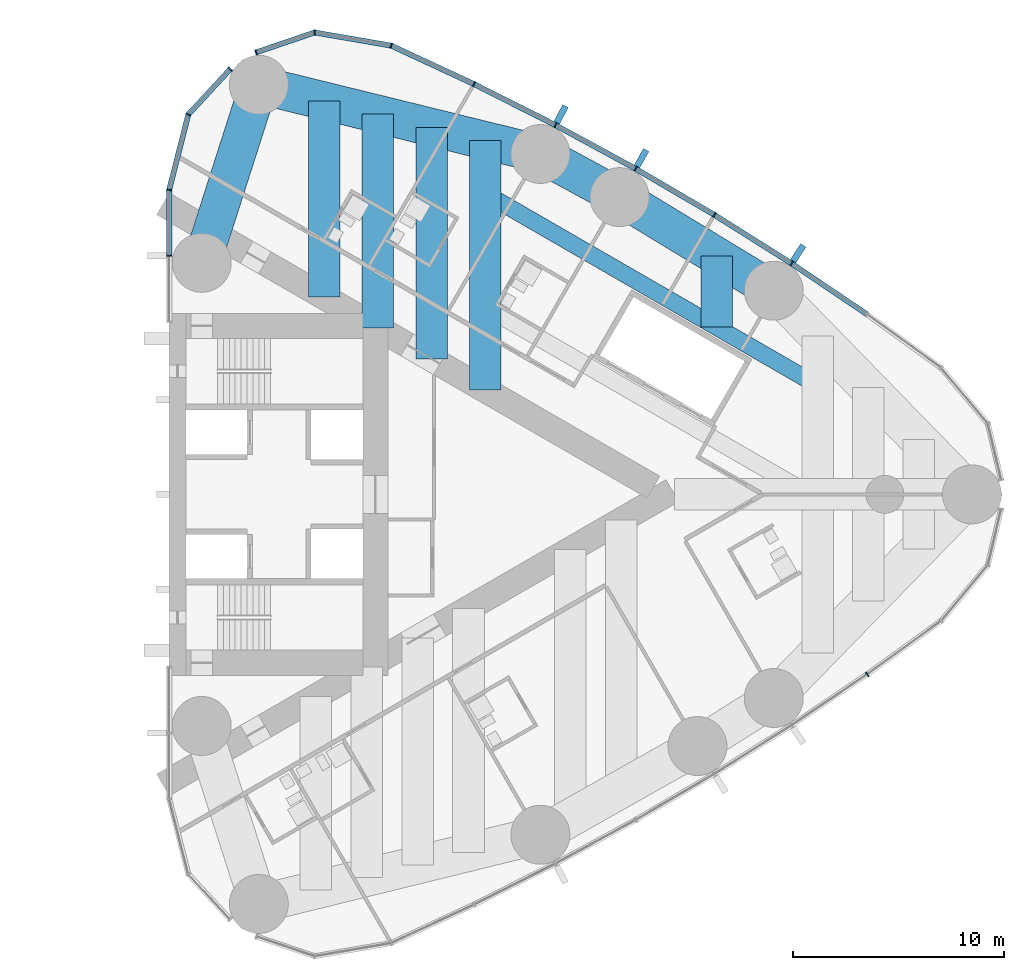
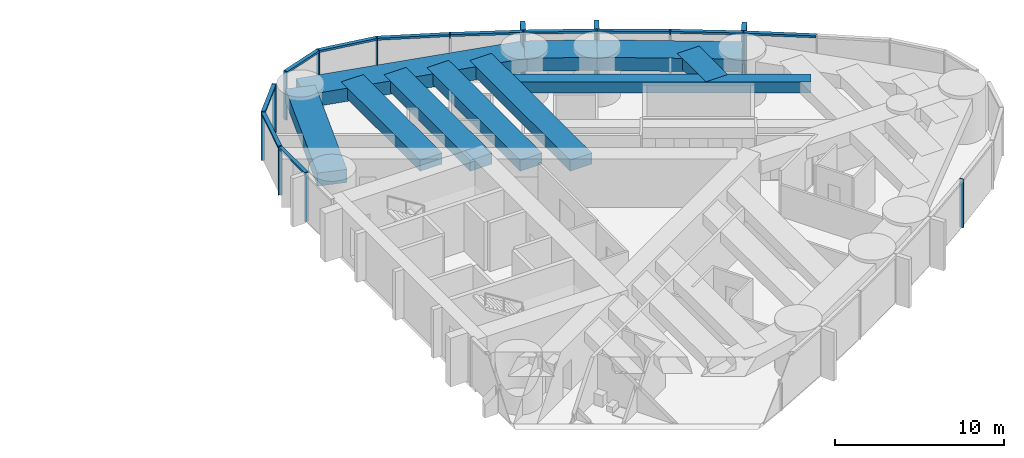
# One storey, part 8 of 18: 27 members, 10 beams, 3 elements without a shape of their own.
"""IFC4 building model written with IfcOpenShell, lengths in metres."""

from ifc_helpers import new_model, si_unit, direction, frame, origin, origin_2d, place, context, subcontext, project, spatial, rectangle, hollow_rectangle, extrude, material, material_profile, profile_set, type_object, element, aggregate, save


model = new_model("IFC4")

# Units and contexts
model_context = context("Model", 3, precision=1e-05, world=origin(), true_north=direction((0.0, 1.0)))
body_context = subcontext(model_context, "Body", "Model", "MODEL_VIEW")
ifc_project = project(units=[si_unit("LENGTHUNIT", "METRE"), si_unit("AREAUNIT", "SQUARE_METRE"), si_unit("VOLUMEUNIT", "CUBIC_METRE"), si_unit("PLANEANGLEUNIT", "RADIAN"), si_unit("MASSUNIT", "GRAM", prefix="KILO")], contexts=[model_context])

# Site, building, storey
site_placement = place(None, origin())
site = spatial("IfcSite", under=ifc_project, at=site_placement, CompositionType="ELEMENT")
building_placement = place(site_placement, origin())
building = spatial("IfcBuilding", under=site, at=building_placement, Name="Lancet Gate Hotel", CompositionType="ELEMENT")
storey_placement = place(building_placement, frame((0.0, 0.0, 187.800048828125)))
storey = spatial("IfcBuildingStorey", under=building, at=storey_placement, Name="L50", CompositionType="ELEMENT", Elevation=187.800048828125)

# Curtain wall, member
ifc_material_1 = material(Name="Aluminium curtain wall", Category="aluminium")
curtain_wall_type = type_object("IfcCurtainWallType", Name="Tower unitised curtain wall", PredefinedType="USERDEFINED", material=ifc_material_1)
curtain_wall_1_placement = place(storey_placement, origin())
curtain_wall_1 = element("IfcCurtainWall", 1, at=curtain_wall_1_placement, inside=storey, type_object=curtain_wall_type, Name="T2 L50 curtain wall 2", ObjectType="UNITISED CURTAIN WALL", PredefinedType="USERDEFINED")
ifc_material_2 = material(Name="Aluminium mullion", Category="aluminium")
ifc_material_profile_1 = material_profile(ifc_material_2, rectangle(XDim=0.06494140625, YDim=0.25, at=origin_2d()), Name="MULLION 65x250")
ifc_profile_set_1 = profile_set([ifc_material_profile_1], Name="Aluminium mullion")
member_type_1 = type_object("IfcMemberType", Name="Aluminium mullion 65x250", PredefinedType="MULLION", material=ifc_profile_set_1)
member_1_placement = place(storey_placement, frame((60.66015625, -8.547607421875, 0.0), z_axis=(0.0, 0.0, 1.0), x_axis=(0.820068208435, 0.572265789222, 0.0)))
member_1 = element("IfcMember", 2, at=member_1_placement, type_object=member_type_1, Name="T2 L50 curtain wall 2 mullion 9", PredefinedType="MULLION", context=body_context, shape_type="SweptSolid", body=[
    extrude(rectangle(XDim=0.06494140625, YDim=0.25, at=origin_2d()), origin(), (0.0, 0.0, 1.0), 3.5),
])
aggregate(curtain_wall_1, [member_1])

# Curtain wall, members
curtain_wall_2_placement = place(storey_placement, origin())
curtain_wall_2 = element("IfcCurtainWall", 3, at=curtain_wall_2_placement, inside=storey, type_object=curtain_wall_type, Name="T2 L50 curtain wall 3", ObjectType="UNITISED CURTAIN WALL", PredefinedType="USERDEFINED")
member_2_placement = place(storey_placement, frame((57.067138671875, 10.970947265625, 0.0), z_axis=(0.0, 0.0, 1.0), x_axis=(-0.837800943278, 0.545975804815, 0.0)))
member_2 = element("IfcMember", 4, at=member_2_placement, type_object=member_type_1, Name="T2 L50 curtain wall 3 mullion 5", PredefinedType="MULLION", context=body_context, shape_type="SweptSolid", body=[
    extrude(rectangle(XDim=0.06494140625, YDim=0.25, at=origin_2d()), origin(), (0.0, 0.0, 1.0), 3.5),
])
member_3_placement = place(storey_placement, frame((53.39892578125, 13.279541015625, 0.0), z_axis=(0.0, 0.0, 1.0), x_axis=(-0.854691174453, 0.519136779965, 0.0)))
member_3 = element("IfcMember", 5, at=member_3_placement, type_object=member_type_1, Name="T2 L50 curtain wall 3 mullion 6", PredefinedType="MULLION", context=body_context, shape_type="SweptSolid", body=[
    extrude(rectangle(XDim=0.06494140625, YDim=0.25, at=origin_2d()), origin(), (0.0, 0.0, 1.0), 3.5),
])
member_4_placement = place(storey_placement, frame((49.65966796875, 15.47021484375, 0.0), z_axis=(0.0, 0.0, 1.0), x_axis=(-0.870721916932, 0.491775704336, 0.0)))
member_4 = element("IfcMember", 6, at=member_4_placement, type_object=member_type_1, Name="T2 L50 curtain wall 3 mullion 7", PredefinedType="MULLION", context=body_context, shape_type="SweptSolid", body=[
    extrude(rectangle(XDim=0.06494140625, YDim=0.25, at=origin_2d()), origin(), (0.0, 0.0, 1.0), 3.5),
])
member_5_placement = place(storey_placement, frame((45.8525390625, 17.54150390625, 0.0), z_axis=(0.0, 0.0, 1.0), x_axis=(-0.885877049989, 0.463920092584, 0.0)))
member_5 = element("IfcMember", 7, at=member_5_placement, type_object=member_type_1, Name="T2 L50 curtain wall 3 mullion 8", PredefinedType="MULLION", context=body_context, shape_type="SweptSolid", body=[
    extrude(rectangle(XDim=0.06494140625, YDim=0.25, at=origin_2d()), origin(), (0.0, 0.0, 1.0), 3.5),
])
member_6_placement = place(storey_placement, frame((41.98193359375, 19.490966796875, 0.0), z_axis=(0.0, 0.0, 1.0), x_axis=(-0.900141333422, 0.435597956681, 0.0)))
member_6 = element("IfcMember", 8, at=member_6_placement, type_object=member_type_1, Name="T2 L50 curtain wall 3 mullion 9", PredefinedType="MULLION", context=body_context, shape_type="SweptSolid", body=[
    extrude(rectangle(XDim=0.06494140625, YDim=0.25, at=origin_2d()), origin(), (0.0, 0.0, 1.0), 3.5),
])
member_7_placement = place(storey_placement, frame((38.05126953125, 21.31689453125, 0.0), z_axis=(0.0, 0.0, 1.0), x_axis=(-0.951355493327, 0.308095318555, 0.0)))
member_7 = element("IfcMember", 9, at=member_7_placement, type_object=member_type_1, Name="T2 L50 curtain wall 3 mullion 10", PredefinedType="MULLION", context=body_context, shape_type="SweptSolid", body=[
    extrude(rectangle(XDim=0.06494140625, YDim=0.25, at=origin_2d()), origin(), (0.0, 0.0, 1.0), 3.5),
])
member_8_placement = place(storey_placement, frame((34.412109375, 21.9423828125, 0.0), z_axis=(0.0, 0.0, 1.0), x_axis=(-0.99877556888, -0.049470829879, 0.0)))
member_8 = element("IfcMember", 10, at=member_8_placement, type_object=member_type_1, Name="T2 L50 curtain wall 3 mullion 11", PredefinedType="MULLION", context=body_context, shape_type="SweptSolid", body=[
    extrude(rectangle(XDim=0.06494140625, YDim=0.25, at=origin_2d()), origin(), (0.0, 0.0, 1.0), 3.5),
])
member_9_placement = place(storey_placement, frame((31.631591796875, 20.998779296875, 0.0), z_axis=(0.0, 0.0, 1.0), x_axis=(-0.946952368511, -0.321373943827, 0.0)))
member_9 = element("IfcMember", 11, at=member_9_placement, type_object=member_type_1, Name="T2 L50 curtain wall 3 mullion 12", PredefinedType="MULLION", context=body_context, shape_type="SweptSolid", body=[
    extrude(rectangle(XDim=0.06494140625, YDim=0.25, at=origin_2d()), origin(), (0.0, 0.0, 1.0), 3.5),
])

curtain_wall_3_placement = place(storey_placement, origin())
curtain_wall_3 = element("IfcCurtainWall", 12, at=curtain_wall_3_placement, inside=storey, type_object=curtain_wall_type, Name="T2 L50 curtain wall 4", ObjectType="UNITISED CURTAIN WALL", PredefinedType="USERDEFINED")
member_10_placement = place(storey_placement, frame((30.40185546875, 20.199951171875, 0.0), z_axis=(0.0, 0.0, 1.0), x_axis=(-0.67883123083, -0.734294327943, 0.0)))
member_10 = element("IfcMember", 13, at=member_10_placement, type_object=member_type_1, Name="T2 L50 curtain wall 4 mullion 1", PredefinedType="MULLION", context=body_context, shape_type="SweptSolid", body=[
    extrude(rectangle(XDim=0.06494140625, YDim=0.25, at=origin_2d()), origin(), (0.0, 0.0, 1.0), 3.5),
])
member_11_placement = place(storey_placement, frame((28.408935546875, 18.04443359375, 0.0), z_axis=(0.0, 0.0, 1.0), x_axis=(-0.451505925065, -0.892268120932, 0.0)))
member_11 = element("IfcMember", 14, at=member_11_placement, type_object=member_type_1, Name="T2 L50 curtain wall 4 mullion 2", PredefinedType="MULLION", context=body_context, shape_type="SweptSolid", body=[
    extrude(rectangle(XDim=0.06494140625, YDim=0.25, at=origin_2d()), origin(), (0.0, 0.0, 1.0), 3.5),
])
member_12_placement = place(storey_placement, frame((27.5, 14.465576171875, 0.0), z_axis=(0.0, 0.0, 1.0), x_axis=(-0.134206524909, -0.990953383703, 0.0)))
member_12 = element("IfcMember", 15, at=member_12_placement, type_object=member_type_1, Name="T2 L50 curtain wall 4 mullion 3", PredefinedType="MULLION", context=body_context, shape_type="SweptSolid", body=[
    extrude(rectangle(XDim=0.06494140625, YDim=0.25, at=origin_2d()), origin(), (0.0, 0.0, 1.0), 3.5),
])
member_13_placement = place(storey_placement, frame((27.5, 11.332763671875, 0.0), z_axis=(0.0, 0.0, 1.0), x_axis=(0.0, -1.0, 0.0)))
member_13 = element("IfcMember", 16, at=member_13_placement, type_object=member_type_1, Name="T2 L50 curtain wall 4 mullion 4", PredefinedType="MULLION", context=body_context, shape_type="SweptSolid", body=[
    extrude(rectangle(XDim=0.06494140625, YDim=0.25, at=origin_2d()), origin(), (0.0, 0.0, 1.0), 3.5),
])

# Member
ifc_material_3 = material(Name="Aluminium transom", Category="aluminium")
ifc_material_profile_2 = material_profile(ifc_material_3, rectangle(XDim=0.25, YDim=0.14990234375, at=origin_2d()), Name="TRANSOM 250x150")
ifc_profile_set_2 = profile_set([ifc_material_profile_2], Name="Aluminium transom")
member_type_2 = type_object("IfcMemberType", Name="Aluminium transom 250x150", PredefinedType="USERDEFINED", material=ifc_profile_set_2)
member_14_placement = place(storey_placement, frame((60.63330078125, 8.565673828125, 3.425048828125), z_axis=(-0.829046850689, 0.559179147826, 0.0), x_axis=(-0.559179147826, -0.829046850689, 0.0)))
member_14 = element("IfcMember", 17, at=member_14_placement, type_object=member_type_2, Name="T2 L50 curtain wall 3 transom 4", ObjectType="TRANSOM", PredefinedType="USERDEFINED", context=body_context, shape_type="SweptSolid", body=[
    extrude(rectangle(XDim=0.25, YDim=0.14990234375, at=origin_2d()), origin(), (0.0, 0.0, 1.0), 4.26904296875),
])

member_15_placement = place(storey_placement, frame((57.03955078125, 10.98828125, 3.425048828125), z_axis=(-0.846333101657, 0.532653997488, 0.0), x_axis=(-0.532653997488, -0.846333101657, 0.0)))
member_15 = element("IfcMember", 18, at=member_15_placement, type_object=member_type_2, Name="T2 L50 curtain wall 3 transom 5", ObjectType="TRANSOM", PredefinedType="USERDEFINED", context=body_context, shape_type="SweptSolid", body=[
    extrude(rectangle(XDim=0.25, YDim=0.14990234375, at=origin_2d()), origin(), (0.0, 0.0, 1.0), 4.26904296875),
])

member_16_placement = place(storey_placement, frame((53.37109375, 13.2958984375, 3.425048828125), z_axis=(-0.862825279032, 0.505502262966, 0.0), x_axis=(-0.505502262966, -0.862825279032, 0.0)))
member_16 = element("IfcMember", 19, at=member_16_placement, type_object=member_type_2, Name="T2 L50 curtain wall 3 transom 6", ObjectType="TRANSOM", PredefinedType="USERDEFINED", context=body_context, shape_type="SweptSolid", body=[
    extrude(rectangle(XDim=0.25, YDim=0.14990234375, at=origin_2d()), origin(), (0.0, 0.0, 1.0), 4.26904296875),
])

member_17_placement = place(storey_placement, frame((49.631103515625, 15.48583984375, 3.425048828125), z_axis=(-0.878404302735, 0.477918278513, 0.0), x_axis=(-0.477918278513, -0.878404302735, 0.0)))
member_17 = element("IfcMember", 20, at=member_17_placement, type_object=member_type_2, Name="T2 L50 curtain wall 3 transom 7", ObjectType="TRANSOM", PredefinedType="USERDEFINED", context=body_context, shape_type="SweptSolid", body=[
    extrude(rectangle(XDim=0.25, YDim=0.14990234375, at=origin_2d()), origin(), (0.0, 0.0, 1.0), 4.26904296875),
])

member_18_placement = place(storey_placement, frame((45.82373046875, 17.55615234375, 3.425048828125), z_axis=(-0.893130969207, 0.449796700571, 0.0), x_axis=(-0.449796700571, -0.893130969207, 0.0)))
member_18 = element("IfcMember", 21, at=member_18_placement, type_object=member_type_2, Name="T2 L50 curtain wall 3 transom 8", ObjectType="TRANSOM", PredefinedType="USERDEFINED", context=body_context, shape_type="SweptSolid", body=[
    extrude(rectangle(XDim=0.25, YDim=0.14990234375, at=origin_2d()), origin(), (0.0, 0.0, 1.0), 4.26904296875),
])

member_19_placement = place(storey_placement, frame((41.952392578125, 19.504638671875, 3.425048828125), z_axis=(-0.906913768492, 0.421316290357, 0.0), x_axis=(-0.421316290357, -0.906913768492, 0.0)))
member_19 = element("IfcMember", 22, at=member_19_placement, type_object=member_type_2, Name="T2 L50 curtain wall 3 transom 9", ObjectType="TRANSOM", PredefinedType="USERDEFINED", context=body_context, shape_type="SweptSolid", body=[
    extrude(rectangle(XDim=0.25, YDim=0.14990234375, at=origin_2d()), origin(), (0.0, 0.0, 1.0), 4.26904296875),
])

member_20_placement = place(storey_placement, frame((38.019287109375, 21.322265625, 3.425048828125), z_axis=(-0.985536950873, 0.169460669373, 0.0), x_axis=(-0.169460669373, -0.985536950873, 0.0)))
member_20 = element("IfcMember", 23, at=member_20_placement, type_object=member_type_2, Name="T2 L50 curtain wall 3 transom 10", ObjectType="TRANSOM", PredefinedType="USERDEFINED", context=body_context, shape_type="SweptSolid", body=[
    extrude(rectangle(XDim=0.25, YDim=0.14990234375, at=origin_2d()), origin(), (0.0, 0.0, 1.0), 3.627685546875),
])

member_21_placement = place(storey_placement, frame((34.38134765625, 21.93212890625, 3.425048828125), z_axis=(-0.946943122832, -0.321401185625, 0.0), x_axis=(0.321401185625, -0.946943122832, 0.0)))
member_21 = element("IfcMember", 24, at=member_21_placement, type_object=member_type_2, Name="T2 L50 curtain wall 3 transom 11", ObjectType="TRANSOM", PredefinedType="USERDEFINED", context=body_context, shape_type="SweptSolid", body=[
    extrude(rectangle(XDim=0.25, YDim=0.14990234375, at=origin_2d()), origin(), (0.0, 0.0, 1.0), 2.871337890625),
])

member_22_placement = place(storey_placement, frame((30.379638671875, 20.17626953125, 3.425048828125), z_axis=(-0.678792146129, -0.734330458549, 0.0), x_axis=(0.734330458549, -0.678792146129, 0.0)))
member_22 = element("IfcMember", 25, at=member_22_placement, type_object=member_type_2, Name="T2 L50 curtain wall 4 transom 1", ObjectType="TRANSOM", PredefinedType="USERDEFINED", context=body_context, shape_type="SweptSolid", body=[
    extrude(rectangle(XDim=0.25, YDim=0.14990234375, at=origin_2d()), origin(), (0.0, 0.0, 1.0), 2.87060546875),
])

member_23_placement = place(storey_placement, frame((28.40087890625, 18.012939453125, 3.425048828125), z_axis=(-0.246128756616, -0.969237140831, 0.0), x_axis=(0.969237140831, -0.246128756616, 0.0)))
member_23 = element("IfcMember", 26, at=member_23_placement, type_object=member_type_2, Name="T2 L50 curtain wall 4 transom 2", ObjectType="TRANSOM", PredefinedType="USERDEFINED", context=body_context, shape_type="SweptSolid", body=[
    extrude(rectangle(XDim=0.25, YDim=0.14990234375, at=origin_2d()), origin(), (0.0, 0.0, 1.0), 3.62744140625),
])

member_24_placement = place(storey_placement, frame((27.5, 14.43310546875, 3.425048828125), z_axis=(0.0, -1.0, 0.0), x_axis=(1.0, 0.0, 0.0)))
member_24 = element("IfcMember", 27, at=member_24_placement, type_object=member_type_2, Name="T2 L50 curtain wall 4 transom 3", ObjectType="TRANSOM", PredefinedType="USERDEFINED", context=body_context, shape_type="SweptSolid", body=[
    extrude(rectangle(XDim=0.25, YDim=0.14990234375, at=origin_2d()), origin(), (0.0, 0.0, 1.0), 3.06787109375),
])

aggregate(curtain_wall_3, [member_10, member_11, member_12, member_13, member_22, member_23, member_24])

# Beams
ifc_material_4 = material(Name="Concrete C50/60", Category="concrete")
ifc_material_profile_3 = material_profile(ifc_material_4, rectangle(XDim=1.800048828125, YDim=0.949951171875, at=origin_2d()), Name="RC 1800x950")
ifc_profile_set_3 = profile_set([ifc_material_profile_3], Name="Concrete C50/60")
beam_type_1 = type_object("IfcBeamType", Name="Edge beam RC 1800x950", PredefinedType="SPANDREL", material=ifc_profile_set_3)
beam_1_placement = place(storey_placement, frame((56.220947265625, 9.67236328125, 2.77490234375), z_axis=(-0.854692251129, 0.519135007353, 0.0), x_axis=(-0.519135007353, -0.854692251129, 0.0)))
element("IfcBeam", 28, at=beam_1_placement, inside=storey, type_object=beam_type_1, Name="T2 edge beam EB1 L50", PredefinedType="SPANDREL", context=body_context, shape_type="SweptSolid", body=[
    extrude(rectangle(XDim=1.800048828125, YDim=0.949951171875, at=origin_2d()), origin(), (0.0, 0.0, 1.0), 8.568603515625),
])
beam_2_placement = place(storey_placement, frame((48.8974609375, 14.12060546875, 2.77490234375), z_axis=(-0.878404597051, 0.477917737566, 0.0), x_axis=(-0.477917737566, -0.878404597051, 0.0)))
element("IfcBeam", 29, at=beam_2_placement, inside=storey, type_object=beam_type_1, Name="T2 edge beam EB1 L50", PredefinedType="SPANDREL", context=body_context, shape_type="SweptSolid", body=[
    extrude(rectangle(XDim=1.800048828125, YDim=0.949951171875, at=origin_2d()), origin(), (0.0, 0.0, 1.0), 4.284912109375),
])
beam_3_placement = place(storey_placement, frame((45.133544921875, 16.16845703125, 2.77490234375), z_axis=(-0.971093253227, 0.238700426344, 0.0), x_axis=(-0.238700426344, -0.971093253227, 0.0)))
element("IfcBeam", 30, at=beam_3_placement, inside=storey, type_object=beam_type_1, Name="T2 edge beam EB1 L50", PredefinedType="SPANDREL", context=body_context, shape_type="SweptSolid", body=[
    extrude(rectangle(XDim=1.800048828125, YDim=0.949951171875, at=origin_2d()), origin(), (0.0, 0.0, 1.0), 13.77197265625),
])
beam_4_placement = place(storey_placement, frame((29.050048828125, 11.0, 2.77490234375), z_axis=(0.305169772986, 0.952297962644, 0.0), x_axis=(-0.952297962644, 0.305169772986, 0.0)))
element("IfcBeam", 31, at=beam_4_placement, inside=storey, type_object=beam_type_1, Name="T2 edge beam EB1 L50", PredefinedType="SPANDREL", context=body_context, shape_type="SweptSolid", body=[
    extrude(rectangle(XDim=1.800048828125, YDim=0.949951171875, at=origin_2d()), origin(), (0.0, 0.0, 1.0), 8.87939453125),
])

# Member
ifc_material_5 = material(Name="Precast concrete C50/60", Category="concrete")
ifc_material_profile_4 = material_profile(ifc_material_5, rectangle(XDim=0.300048828125, YDim=0.89990234375, at=origin_2d()), Name="FIN 300x900")
ifc_profile_set_4 = profile_set([ifc_material_profile_4], Name="Precast concrete C50/60")
member_type_3 = type_object("IfcMemberType", Name="Exposed concrete fin 300x900", PredefinedType="USERDEFINED", material=ifc_profile_set_4)
member_25_placement = place(storey_placement, frame((57.381103515625, 11.452880859375, 0.0), z_axis=(0.0, 0.0, 1.0), x_axis=(-0.837800943278, 0.545975804815, 0.0)))
member_25 = element("IfcMember", 32, at=member_25_placement, type_object=member_type_3, Name="T2 L50 curtain wall 3 fin 5", ObjectType="FIN", PredefinedType="USERDEFINED", context=body_context, shape_type="SweptSolid", body=[
    extrude(rectangle(XDim=0.300048828125, YDim=0.89990234375, at=origin_2d()), origin(), (0.0, 0.0, 1.0), 3.5),
])

member_26_placement = place(storey_placement, frame((49.9423828125, 15.970947265625, 0.0), z_axis=(0.0, 0.0, 1.0), x_axis=(-0.870721916932, 0.491775704336, 0.0)))
member_26 = element("IfcMember", 33, at=member_26_placement, type_object=member_type_3, Name="T2 L50 curtain wall 3 fin 7", ObjectType="FIN", PredefinedType="USERDEFINED", context=body_context, shape_type="SweptSolid", body=[
    extrude(rectangle(XDim=0.300048828125, YDim=0.89990234375, at=origin_2d()), origin(), (0.0, 0.0, 1.0), 3.5),
])

member_27_placement = place(storey_placement, frame((46.119384765625, 18.051025390625, 0.0), z_axis=(0.0, 0.0, 1.0), x_axis=(-0.885877049989, 0.463920092584, 0.0)))
member_27 = element("IfcMember", 34, at=member_27_placement, type_object=member_type_3, Name="T2 L50 curtain wall 3 fin 8", ObjectType="FIN", PredefinedType="USERDEFINED", context=body_context, shape_type="SweptSolid", body=[
    extrude(rectangle(XDim=0.300048828125, YDim=0.89990234375, at=origin_2d()), origin(), (0.0, 0.0, 1.0), 3.5),
])

aggregate(curtain_wall_2, [member_2, member_25, member_3, member_4, member_26, member_5, member_27, member_6, member_7, member_8, member_9, member_14, member_15, member_16, member_17, member_18, member_19, member_20, member_21])

# Beams
ifc_material_6 = material(Name="Concrete C50/60", Category="concrete")
ifc_material_profile_5 = material_profile(ifc_material_6, rectangle(XDim=1.5, YDim=0.800048828125, at=origin_2d()), Name="RC 1500x800")
ifc_profile_set_5 = profile_set([ifc_material_profile_5], Name="Concrete C50/60")
beam_type_2 = type_object("IfcBeamType", Name="Floor beam RC 1500x800", PredefinedType="BEAM", material=ifc_profile_set_5)
beam_5_placement = place(storey_placement, frame((34.859619140625, 9.377685546875, 2.849853515625), z_axis=(0.0, 1.0, 0.0), x_axis=(-1.0, 0.0, 0.0)))
element("IfcBeam", 35, at=beam_5_placement, inside=storey, type_object=beam_type_2, Name="T2 floor beam F02N L50", PredefinedType="BEAM", context=body_context, shape_type="SweptSolid", body=[
    extrude(rectangle(XDim=1.5, YDim=0.800048828125, at=origin_2d()), origin(), (0.0, 0.0, 1.0), 9.316162109375),
])
beam_6_placement = place(storey_placement, frame((37.412841796875, 7.903564453125, 2.849853515625), z_axis=(0.0, 1.0, 0.0), x_axis=(-1.0, 0.0, 0.0)))
element("IfcBeam", 36, at=beam_6_placement, inside=storey, type_object=beam_type_2, Name="T2 floor beam F04N L50", PredefinedType="BEAM", context=body_context, shape_type="SweptSolid", body=[
    extrude(rectangle(XDim=1.5, YDim=0.800048828125, at=origin_2d()), origin(), (0.0, 0.0, 1.0), 10.16259765625),
])
beam_7_placement = place(storey_placement, frame((39.9658203125, 6.429443359375, 2.849853515625), z_axis=(0.0, 1.0, 0.0), x_axis=(-1.0, 0.0, 0.0)))
element("IfcBeam", 37, at=beam_7_placement, inside=storey, type_object=beam_type_2, Name="T2 floor beam F06N L50", PredefinedType="BEAM", context=body_context, shape_type="SweptSolid", body=[
    extrude(rectangle(XDim=1.5, YDim=0.800048828125, at=origin_2d()), origin(), (0.0, 0.0, 1.0), 11.00927734375),
])
beam_8_placement = place(storey_placement, frame((42.51904296875, 4.95556640625, 2.849853515625), z_axis=(0.0, 1.0, 0.0), x_axis=(-1.0, 0.0, 0.0)))
element("IfcBeam", 38, at=beam_8_placement, inside=storey, type_object=beam_type_2, Name="T2 floor beam F08N L50", PredefinedType="BEAM", context=body_context, shape_type="SweptSolid", body=[
    extrude(rectangle(XDim=1.5, YDim=0.800048828125, at=origin_2d()), origin(), (0.0, 0.0, 1.0), 11.85546875),
])
beam_9_placement = place(storey_placement, frame((53.502197265625, 7.94775390625, 2.849853515625), z_axis=(0.0, 1.0, 0.0), x_axis=(-1.0, 0.0, 0.0)))
element("IfcBeam", 39, at=beam_9_placement, inside=storey, type_object=beam_type_2, Name="T2 floor beam F11NB L50", PredefinedType="BEAM", context=body_context, shape_type="SweptSolid", body=[
    extrude(rectangle(XDim=1.5, YDim=0.800048828125, at=origin_2d()), origin(), (0.0, 0.0, 1.0), 3.3759765625),
])
ifc_material_7 = material(Name="Steel S460QL", Category="steel")
ifc_material_profile_6 = material_profile(ifc_material_7, hollow_rectangle(XDim=0.800048828125, YDim=0.800048828125, WallThickness=0.080078125, at=origin_2d()), Name="BOX 800x800x80")
ifc_profile_set_6 = profile_set([ifc_material_profile_6], Name="Steel S460QL")
beam_type_3 = type_object("IfcBeamType", Name="Trimmer beam BOX 800x800x80", PredefinedType="BEAM", material=ifc_profile_set_6)
beam_10_placement = place(storey_placement, frame((42.51904296875, 14.289794921875, 2.849853515625), z_axis=(0.865993732867, -0.500054851626, 0.0), x_axis=(0.500054851626, 0.865993732867, 0.0)))
element("IfcBeam", 40, at=beam_10_placement, inside=storey, type_object=beam_type_3, Name="T2 trimmer beam TR01N L50", PredefinedType="BEAM", context=body_context, shape_type="SweptSolid", body=[
    extrude(hollow_rectangle(XDim=0.800048828125, YDim=0.800048828125, WallThickness=0.080078125, at=origin_2d()), origin(), (0.0, 0.0, 1.0), 18.2255859375),
])

save(model, "model.ifc")
